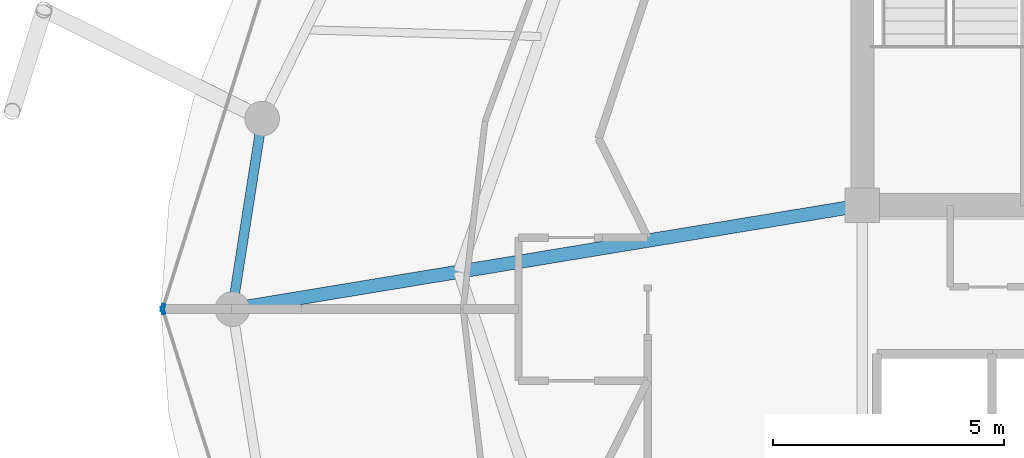
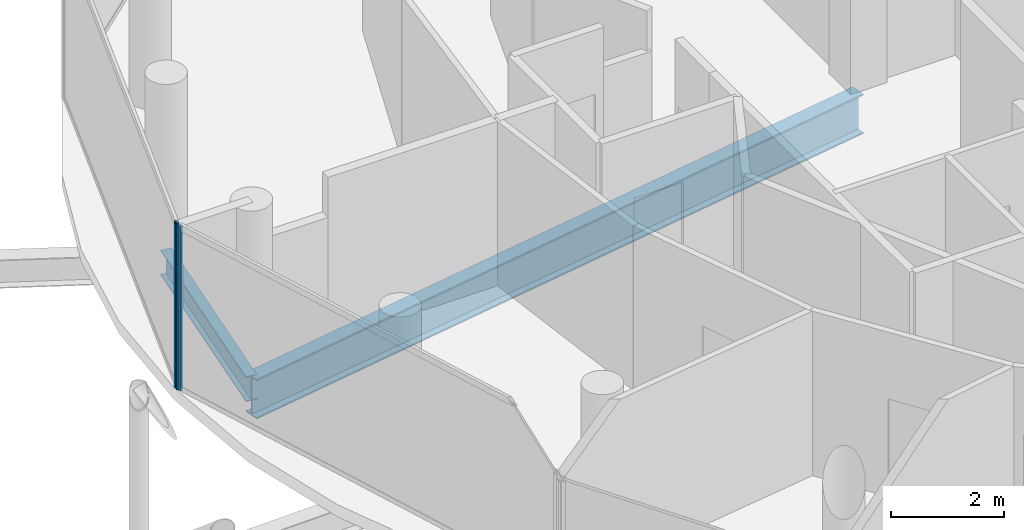
# One storey, part 6 of 24: 2 beams, 2 members, 2 elements without a shape of their own.
"""IFC4 building model written with IfcOpenShell, lengths in metres."""

from ifc_helpers import new_model, si_unit, direction, frame, origin, origin_2d, place, context, subcontext, project, spatial, hollow_rectangle, i_section, extrude, material, layer, layer_set, material_profile, profile_set, type_object, element, aggregate, save


model = new_model("IFC4")

# Units and contexts
model_context = context("Model", 3, precision=1e-05, world=origin(), true_north=direction((0.0, 1.0)))
body_context = subcontext(model_context, "Body", "Model", "MODEL_VIEW")
ifc_project = project(units=[si_unit("LENGTHUNIT", "METRE"), si_unit("AREAUNIT", "SQUARE_METRE"), si_unit("VOLUMEUNIT", "CUBIC_METRE"), si_unit("PLANEANGLEUNIT", "RADIAN"), si_unit("MASSUNIT", "GRAM", prefix="KILO")], contexts=[model_context])

# Site, building, storey
site_placement = place(None, origin())
site = spatial("IfcSite", under=ifc_project, at=site_placement, CompositionType="ELEMENT")
building_placement = place(site_placement, origin())
building = spatial("IfcBuilding", under=site, at=building_placement, Name="Nuhasar Tower", CompositionType="ELEMENT")
storey_placement = place(building_placement, frame((0.0, 0.0, 293.60009765625)))
storey = spatial("IfcBuildingStorey", under=building, at=storey_placement, Name="L73", CompositionType="ELEMENT", Elevation=293.60009765625)

# Beams
ifc_material_1 = material(Name="Steel S355", Category="steel")
ifc_material_profile_1 = material_profile(ifc_material_1, i_section(OverallWidth=0.2919921875, OverallDepth=0.85888671875, WebThickness=0.01708984375, FlangeThickness=0.031005859375, at=origin_2d()), Name="W33X169")
ifc_profile_set_1 = profile_set([ifc_material_profile_1], Name="Steel S355")
beam_type_1 = type_object("IfcBeamType", Name="BM-POD-W33X169", PredefinedType="BEAM", material=ifc_profile_set_1)
beam_1_placement = place(storey_placement, frame((33.699951171875, 29.050048828125, -0.690185546875), z_axis=(-0.986685215874, -0.162641583786, 0.0), x_axis=(0.162641583786, -0.986685215874, 0.0)))
element("IfcBeam", 1, at=beam_1_placement, inside=storey, type_object=beam_type_1, Name="L73 Radial Floor Girder 08", PredefinedType="BEAM", context=body_context, shape_type="SweptSolid", body=[
    extrude(i_section(OverallWidth=0.2919921875, OverallDepth=0.85888671875, WebThickness=0.01708984375, FlangeThickness=0.031005859375, at=origin_2d()), origin(), (0.0, 0.0, 1.0), 13.833984375),
])
ifc_material_profile_2 = material_profile(ifc_material_1, i_section(OverallWidth=0.2099609375, OverallDepth=0.537109375, WebThickness=0.010986328125, FlangeThickness=0.017333984375, at=origin_2d()), Name="W21X68")
ifc_profile_set_2 = profile_set([ifc_material_profile_2], Name="Steel S355")
beam_type_2 = type_object("IfcBeamType", Name="BM-RING-W21X68", PredefinedType="SPANDREL", material=ifc_profile_set_2)
beam_2_placement = place(storey_placement, frame((20.696044921875, 30.927978515625, -0.529052734375), z_axis=(-0.154612165232, -0.987975241776, 0.0), x_axis=(0.987975241776, -0.154612165232, 0.0)))
element("IfcBeam", 2, at=beam_2_placement, inside=storey, type_object=beam_type_2, Name="L73 Perimeter Ring Spandrel 12", PredefinedType="SPANDREL", context=body_context, shape_type="SweptSolid", body=[
    extrude(i_section(OverallWidth=0.2099609375, OverallDepth=0.537109375, WebThickness=0.010986328125, FlangeThickness=0.017333984375, at=origin_2d()), origin(), (0.0, 0.0, 1.0), 4.17822265625),
])

# Curtain wall, member
ifc_material_2 = material(Name="Aluminium 6063-T6", Category="aluminium")
ifc_layer = layer(ifc_material_2, 0.18994140625)
ifc_layer_set = layer_set([ifc_layer], Name="Aluminium 6063-T6")
curtain_wall_type = type_object("IfcCurtainWallType", Name="CW-Z4-PEN", PredefinedType="NOTDEFINED", material=ifc_layer_set)
curtain_wall_1_placement = place(storey_placement, origin())
curtain_wall_1 = element("IfcCurtainWall", 3, at=curtain_wall_1_placement, inside=storey, type_object=curtain_wall_type, Name="L73 Unitised Curtain Wall 06", PredefinedType="NOTDEFINED")
ifc_material_profile_3 = material_profile(ifc_material_2, hollow_rectangle(XDim=0.06005859375, YDim=0.1650390625, WallThickness=0.0048828125, at=origin_2d()), Name="CWM-5")
ifc_profile_set_3 = profile_set([ifc_material_profile_3], Name="Aluminium 6063-T6")
member_type = type_object("IfcMemberType", Name="CW-MUL-S5", PredefinedType="MULLION", material=ifc_profile_set_3)
member_1_placement = place(storey_placement, frame((18.549072265625, 26.82861328125, 0.0), z_axis=(0.0, 0.0, 1.0), x_axis=(0.954078526601, -0.299556614146, 0.0)))
member_1 = element("IfcMember", 4, at=member_1_placement, type_object=member_type, Name="CW-Z4 mullion 2", PredefinedType="MULLION", context=body_context, shape_type="SweptSolid", body=[
    extrude(hollow_rectangle(XDim=0.06005859375, YDim=0.1650390625, WallThickness=0.0048828125, at=origin_2d()), origin(), (0.0, 0.0, 1.0), 3.539794921875),
])
aggregate(curtain_wall_1, [member_1])

curtain_wall_2_placement = place(storey_placement, origin())
curtain_wall_2 = element("IfcCurtainWall", 5, at=curtain_wall_2_placement, inside=storey, type_object=curtain_wall_type, Name="L73 Unitised Curtain Wall 07", PredefinedType="NOTDEFINED")
member_2_placement = place(storey_placement, frame((18.549072265625, 26.771484375, 0.0), z_axis=(0.0, 0.0, 1.0), x_axis=(0.954078526601, 0.299556614146, 0.0)))
member_2 = element("IfcMember", 6, at=member_2_placement, type_object=member_type, Name="CW-Z4 mullion 1", PredefinedType="MULLION", context=body_context, shape_type="SweptSolid", body=[
    extrude(hollow_rectangle(XDim=0.06005859375, YDim=0.1650390625, WallThickness=0.0048828125, at=origin_2d()), origin(), (0.0, 0.0, 1.0), 3.539794921875),
])
aggregate(curtain_wall_2, [member_2])

save(model, "model.ifc")
